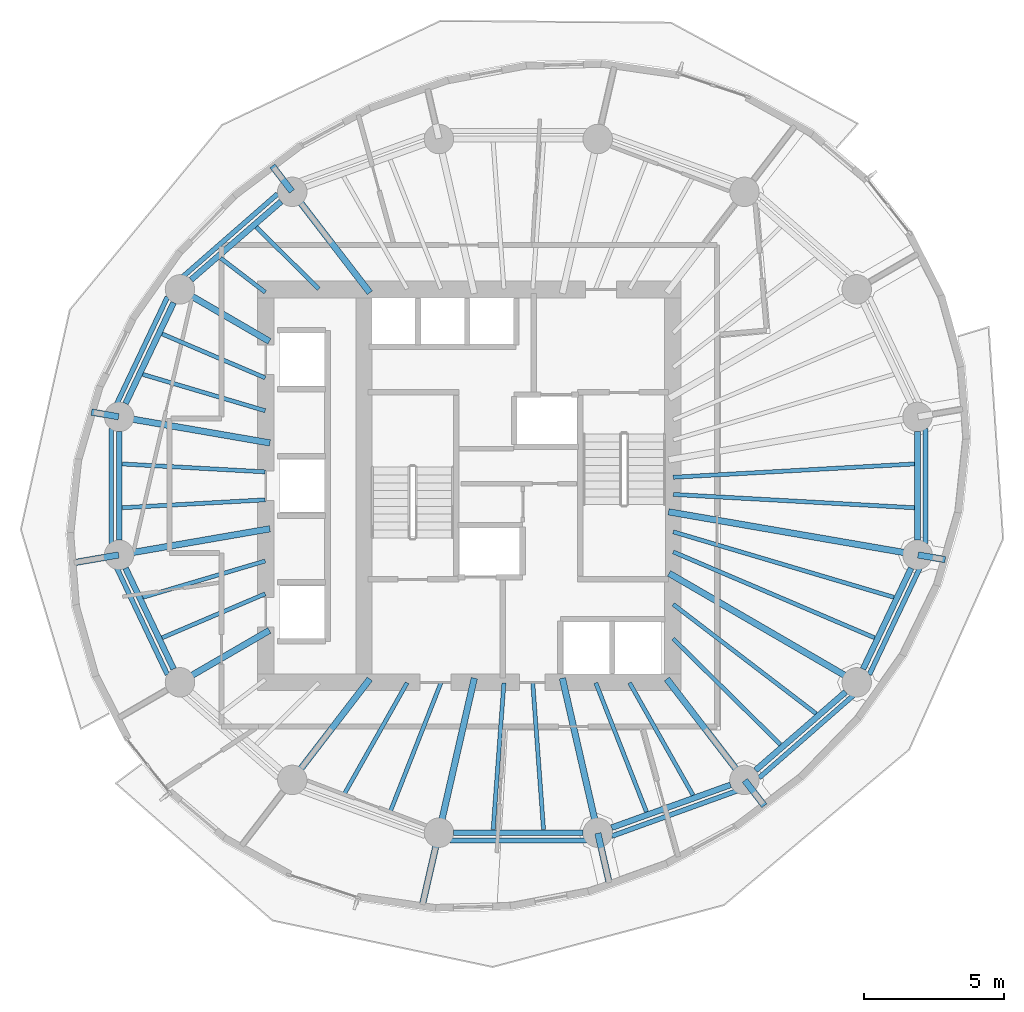
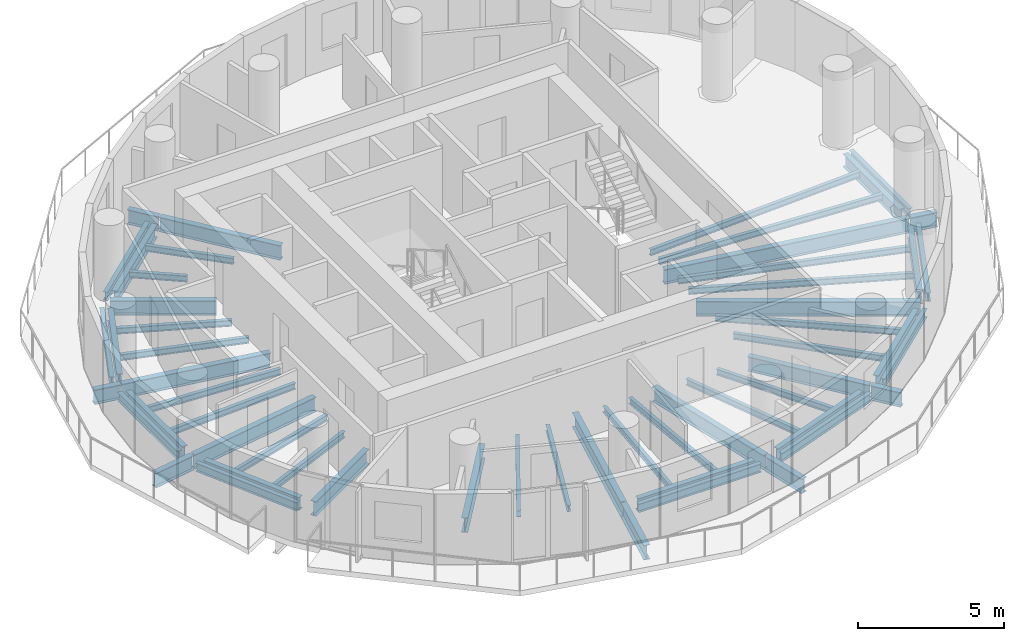
# One storey, part 2 of 12: 56 beams.
"""IFC4 building model written with IfcOpenShell, lengths in metres."""

import ifcopenshell
import ifcopenshell.guid

model = None  # the IFC model being written
_history = None  # IfcOwnerHistory: only IFC2X3 demands one
_inside = {}  # id of a spatial element -> (the spatial element, [elements in it])
_under = {}  # id of a project, library or spatial element -> (it, [spatial elements below it])
_declared = {}  # id of a project -> (the project, [libraries it declares])
_typed = {}  # id of a type object -> (the type object, [elements of that type])
_made_of = {}  # id of a material, layer set ... -> (it, [elements and type objects made of it])


def new_model(schema):
    """Start an empty IFC model of exactly this schema.

    Asked for "IFC4X3", IfcOpenShell would pick the latest addendum, in which some entities
    have other attributes; the version numbers below select the first issue.
    IFC2X3 requires an IfcOwnerHistory on every rooted entity: one is made here for all.
    """
    global model, _history
    if schema == "IFC4X3":
        model = ifcopenshell.file(schema_version=(4, 3, 0, 0))
    else:
        model = ifcopenshell.file(schema=schema)
    _inside.clear()
    _under.clear()
    _declared.clear()
    _typed.clear()
    _made_of.clear()
    _history = None
    if model.schema == "IFC2X3":
        org = make("IfcOrganization", Name="unknown")
        user = make(
            "IfcPersonAndOrganization",
            ThePerson=make("IfcPerson", FamilyName="unknown"),
            TheOrganization=org,
        )
        app = make(
            "IfcApplication",
            ApplicationDeveloper=org,
            Version="unknown",
            ApplicationFullName="unknown",
            ApplicationIdentifier="unknown",
        )
        _history = make(
            "IfcOwnerHistory",
            OwningUser=user,
            OwningApplication=app,
            ChangeAction="ADDED",
            CreationDate=0,
        )
    return model


def make(cls, **values):
    """One entity of the class cls with the attributes given. An attribute that is None is left unset."""
    return model.create_entity(
        cls, **{name: value for name, value in values.items() if value is not None}
    )


def rooted(cls, **values):
    """An entity with a GlobalId (a new one), such as an element, a storey or a relation."""
    return make(cls, GlobalId=ifcopenshell.guid.new(), OwnerHistory=_history, **values)


def si_unit(unit_type, name, prefix=None):
    """IfcSIUnit, for example si_unit("LENGTHUNIT", "METRE", prefix="MILLI")."""
    return make("IfcSIUnit", UnitType=unit_type, Prefix=prefix, Name=name)


def assignment(units):
    """IfcUnitAssignment: the units of a project."""
    return None if units is None else make("IfcUnitAssignment", Units=units)


def point(xyz):
    """IfcCartesianPoint."""
    return None if xyz is None else make("IfcCartesianPoint", Coordinates=xyz)


def direction(xyz):
    """IfcDirection."""
    return None if xyz is None else make("IfcDirection", DirectionRatios=xyz)


def frame(location, z_axis=None, x_axis=None):
    """IfcAxis2Placement3D, a coordinate frame: its origin and axes. An axis left out is left unset."""
    return make(
        "IfcAxis2Placement3D",
        Location=point(location),
        Axis=direction(z_axis),
        RefDirection=direction(x_axis),
    )


def frame_2d(location, x_axis=None):
    """IfcAxis2Placement2D, a coordinate frame in the plane: its origin and x axis."""
    return make(
        "IfcAxis2Placement2D", Location=point(location), RefDirection=direction(x_axis)
    )


def origin():
    """The frame at (0, 0, 0) with its axes left unset."""
    return frame((0.0, 0.0, 0.0))


def origin_2d():
    """The frame at (0, 0) in the plane with its x axis left unset."""
    return frame_2d((0.0, 0.0))


def place(relative_to, where):
    """IfcLocalPlacement: puts the frame where relative to a parent placement (None: the world)."""
    return make(
        "IfcLocalPlacement", PlacementRelTo=relative_to, RelativePlacement=where
    )


def context(
    kind, dimensions, precision=None, world=None, true_north=None, identifier=None
):
    """IfcGeometricRepresentationContext, for example the 3D "Model" context."""
    return make(
        "IfcGeometricRepresentationContext",
        ContextIdentifier=identifier,
        ContextType=kind,
        CoordinateSpaceDimension=dimensions,
        Precision=precision,
        WorldCoordinateSystem=world,
        TrueNorth=true_north,
    )


def subcontext(parent, identifier, kind, view, scale=None):
    """IfcGeometricRepresentationSubContext, for example "Body" below "Model"."""
    return make(
        "IfcGeometricRepresentationSubContext",
        ContextIdentifier=identifier,
        ContextType=kind,
        ParentContext=parent,
        TargetScale=scale,
        TargetView=view,
    )


def project(units=None, contexts=None):
    """IfcProject with its units and contexts."""
    return rooted(
        "IfcProject",
        Name="project",
        RepresentationContexts=contexts,
        UnitsInContext=assignment(units),
    )


def spatial(cls, under=None, at=None, **own):
    """A site, building, storey or space (cls), placed at a placement, below another one or the project."""
    s = rooted(cls, ObjectPlacement=at, **own)
    if under is not None:
        _under.setdefault(under.id(), (under, []))[1].append(s)
    return s


def profile(cls, at=None, kind="AREA", **sizes):
    """A parametric profile (cls). Its sizes go by their IFC names, for example OverallWidth=200.0."""
    return make(cls, ProfileType=kind, Position=at, **sizes)


def i_section(**sizes):
    """IfcIShapeProfileDef."""
    return profile("IfcIShapeProfileDef", **sizes)


def extrude(swept, where, along, depth):
    """IfcExtrudedAreaSolid: the profile swept, set in the frame where, extruded along a direction by depth."""
    return make(
        "IfcExtrudedAreaSolid",
        SweptArea=swept,
        Position=where,
        ExtrudedDirection=direction(along),
        Depth=depth,
    )


def shape(context_of_items, identifier, shape_type, items):
    """IfcShapeRepresentation: the items that make up one representation, for example the "Body"."""
    return make(
        "IfcShapeRepresentation",
        ContextOfItems=context_of_items,
        RepresentationIdentifier=identifier,
        RepresentationType=shape_type,
        Items=items,
    )


def material(Name=None, Category=None):
    """IfcMaterial."""
    return make("IfcMaterial", Name=Name, Category=Category)


def material_profile(
    of_material, cross_section, Name=None, Category=None, Priority=None
):
    """IfcMaterialProfile: a cross section and its material."""
    return make(
        "IfcMaterialProfile",
        Name=Name,
        Material=of_material,
        Profile=cross_section,
        Priority=Priority,
        Category=Category,
    )


def profile_set(profiles, Name=None, composite=None):
    """IfcMaterialProfileSet."""
    return make(
        "IfcMaterialProfileSet",
        Name=Name,
        MaterialProfiles=profiles,
        CompositeProfile=composite,
    )


def made_of(thing, what):
    """Note that an element or type object is made of a material, layer set ...; save() writes the relation."""
    if what is not None:
        _made_of.setdefault(what.id(), (what, []))[1].append(thing)
    return thing


def type_object(cls, material=None, **own):
    """A type object (cls), such as IfcWallType, which elements share."""
    return made_of(rooted(cls, **own), material)


def element(
    cls,
    number,
    at=None,
    inside=None,
    cuts=None,
    type_object=None,
    material=None,
    context=None,
    identifier="Body",
    shape_type=None,
    held_by="IfcProductDefinitionShape",
    body=None,
    shapes=None,
    **own,
):
    """One element of the class cls, such as IfcWall. Its Tag is "e" and its number.

    at: its placement. inside: the storey or other place that contains it. cuts: it is an
    opening in that element (IfcRelVoidsElement). A single representation is given by context,
    identifier, shape_type and body (its items); several are given by shapes. held_by: the class
    of the entity that holds the representations. save() writes the other relations.
    """
    e = rooted(cls, Tag="e%d" % number, ObjectPlacement=at, **own)
    if body is not None:
        shapes = [shape(context, identifier, shape_type, body)]
    if shapes is not None:
        e.Representation = make(held_by, Representations=shapes)
    if inside is not None:
        _inside.setdefault(inside.id(), (inside, []))[1].append(e)
    if cuts is not None:
        rooted(
            "IfcRelVoidsElement", RelatingBuildingElement=cuts, RelatedOpeningElement=e
        )
    if type_object is not None:
        _typed.setdefault(type_object.id(), (type_object, []))[1].append(e)
    return made_of(e, material)


def aggregate(whole, parts):
    """IfcRelAggregates: a whole, such as a stair, and the parts it consists of."""
    return rooted("IfcRelAggregates", RelatingObject=whole, RelatedObjects=parts)


def save(model, path):
    """Write the relations noted so far, then the file.

    IfcRelAggregates (storeys below a building ...), IfcRelContainedInSpatialStructure (elements
    in a storey), IfcRelDefinesByType, IfcRelAssociatesMaterial and IfcRelDeclares: one each for
    every whole, place, type object, material and project.
    """
    for whole, parts in _under.values():
        aggregate(whole, parts)
    for where, things in _inside.values():
        rooted(
            "IfcRelContainedInSpatialStructure",
            RelatedElements=things,
            RelatingStructure=where,
        )
    for kind, things in _typed.values():
        rooted("IfcRelDefinesByType", RelatedObjects=things, RelatingType=kind)
    for what, things in _made_of.values():
        rooted("IfcRelAssociatesMaterial", RelatedObjects=things, RelatingMaterial=what)
    for by, libraries in _declared.values():
        rooted("IfcRelDeclares", RelatingContext=by, RelatedDefinitions=libraries)
    model.write(path)


model = new_model("IFC4")

# Units and contexts
model_context = context("Model", 3, precision=1e-05, world=origin(), true_north=direction((0.0, 1.0)))
body_context = subcontext(model_context, "Body", "Model", "MODEL_VIEW")
ifc_project = project(units=[si_unit("LENGTHUNIT", "METRE"), si_unit("AREAUNIT", "SQUARE_METRE"), si_unit("VOLUMEUNIT", "CUBIC_METRE"), si_unit("PLANEANGLEUNIT", "RADIAN"), si_unit("MASSUNIT", "GRAM", prefix="KILO")], contexts=[model_context])

# Site, building, storey
site_placement = place(None, origin())
site = spatial("IfcSite", under=ifc_project, at=site_placement, CompositionType="ELEMENT")
building_placement = place(site_placement, origin())
building = spatial("IfcBuilding", under=site, at=building_placement, Name="Veldorim Arch Residences", CompositionType="ELEMENT")
storey_placement = place(building_placement, frame((0.0, 0.0, 136.159912109375)))
storey = spatial("IfcBuildingStorey", under=building, at=storey_placement, Name="L40", CompositionType="ELEMENT", Elevation=136.159912109375)

# Beams
ifc_material_1 = material(Name="Steel S355", Category="steel")
ifc_material_profile_1 = material_profile(ifc_material_1, i_section(OverallWidth=0.2099609375, OverallDepth=0.53662109375, WebThickness=0.0107421875, FlangeThickness=0.017333984375, at=origin_2d()), Name="UB533x210x101")
ifc_profile_set_1 = profile_set([ifc_material_profile_1], Name="Steel S355")
beam_type_1 = type_object("IfcBeamType", Name="Structural Steel Beam UB533x210x101", PredefinedType="BEAM", material=ifc_profile_set_1)
beam_1_placement = place(storey_placement, frame((23.5478515625, 34.132080078125, -0.50830078125), z_axis=(-0.754810789581, -0.655942582802, 0.0), x_axis=(0.655942582802, -0.754810789581, 0.0)))
element("IfcBeam", 1, at=beam_1_placement, inside=storey, type_object=beam_type_1, Name="L40 perimeter ring tie beam 06", PredefinedType="BEAM", context=body_context, shape_type="SweptSolid", body=[
    extrude(i_section(OverallWidth=0.2099609375, OverallDepth=0.53662109375, WebThickness=0.0107421875, FlangeThickness=0.017333984375, at=origin_2d()), origin(), (0.0, 0.0, 1.0), 4.249755859375),
])
beam_2_placement = place(storey_placement, frame((19.7177734375, 30.5263671875, -0.50830078125), z_axis=(-0.43028577851, -0.902692721147, 0.0), x_axis=(0.902692721147, -0.43028577851, 0.0)))
element("IfcBeam", 2, at=beam_2_placement, inside=storey, type_object=beam_type_1, Name="L40 perimeter ring tie beam 07", PredefinedType="BEAM", context=body_context, shape_type="SweptSolid", body=[
    extrude(i_section(OverallWidth=0.2099609375, OverallDepth=0.53662109375, WebThickness=0.0107421875, FlangeThickness=0.017333984375, at=origin_2d()), origin(), (0.0, 0.0, 1.0), 3.98193359375),
])
beam_3_placement = place(storey_placement, frame((17.778564453125, 25.93310546875, -0.50830078125), z_axis=(0.0, -1.0, 0.0), x_axis=(1.0, 0.0, 0.0)))
element("IfcBeam", 3, at=beam_3_placement, inside=storey, type_object=beam_type_1, Name="L40 perimeter ring tie beam 08", PredefinedType="BEAM", context=body_context, shape_type="SweptSolid", body=[
    extrude(i_section(OverallWidth=0.2099609375, OverallDepth=0.53662109375, WebThickness=0.0107421875, FlangeThickness=0.017333984375, at=origin_2d()), origin(), (0.0, 0.0, 1.0), 3.8662109375),
])
beam_4_placement = place(storey_placement, frame((18.00439453125, 21.068115234375, -0.50830078125), z_axis=(0.43028577851, -0.902692721147, 0.0), x_axis=(0.902692721147, 0.43028577851, 0.0)))
element("IfcBeam", 4, at=beam_4_placement, inside=storey, type_object=beam_type_1, Name="L40 perimeter ring tie beam 09", PredefinedType="BEAM", context=body_context, shape_type="SweptSolid", body=[
    extrude(i_section(OverallWidth=0.2099609375, OverallDepth=0.53662109375, WebThickness=0.0107421875, FlangeThickness=0.017333984375, at=origin_2d()), origin(), (0.0, 0.0, 1.0), 3.98193359375),
])
beam_5_placement = place(storey_placement, frame((29.6962890625, 11.64208984375, -0.50830078125), z_axis=(1.0, 0.0, 0.0), x_axis=(0.0, 1.0, 0.0)))
element("IfcBeam", 5, at=beam_5_placement, inside=storey, type_object=beam_type_1, Name="L40 perimeter ring tie beam 12", PredefinedType="BEAM", context=body_context, shape_type="SweptSolid", body=[
    extrude(i_section(OverallWidth=0.2099609375, OverallDepth=0.53662109375, WebThickness=0.0107421875, FlangeThickness=0.017333984375, at=origin_2d()), origin(), (0.0, 0.0, 1.0), 4.607421875),
])
beam_6_placement = place(storey_placement, frame((35.32275390625, 11.81982421875, -0.50830078125), z_axis=(0.940899155006, 0.338686846673, 0.0), x_axis=(-0.338686846673, 0.940899155006, 0.0)))
element("IfcBeam", 6, at=beam_6_placement, inside=storey, type_object=beam_type_1, Name="L40 perimeter ring tie beam 13", PredefinedType="BEAM", context=body_context, shape_type="SweptSolid", body=[
    extrude(i_section(OverallWidth=0.2099609375, OverallDepth=0.53662109375, WebThickness=0.0107421875, FlangeThickness=0.017333984375, at=origin_2d()), origin(), (0.0, 0.0, 1.0), 4.50537109375),
])
beam_7_placement = place(storey_placement, frame((40.4521484375, 13.867919921875, -0.50830078125), z_axis=(0.754810789581, 0.655942582802, 0.0), x_axis=(-0.655942582802, 0.754810789581, 0.0)))
element("IfcBeam", 7, at=beam_7_placement, inside=storey, type_object=beam_type_1, Name="L40 perimeter ring tie beam 14", PredefinedType="BEAM", context=body_context, shape_type="SweptSolid", body=[
    extrude(i_section(OverallWidth=0.2099609375, OverallDepth=0.53662109375, WebThickness=0.0107421875, FlangeThickness=0.017333984375, at=origin_2d()), origin(), (0.0, 0.0, 1.0), 4.249755859375),
])
beam_8_placement = place(storey_placement, frame((44.2822265625, 17.4736328125, -0.50830078125), z_axis=(0.43028577851, 0.902692721147, 0.0), x_axis=(-0.902692721147, 0.43028577851, 0.0)))
element("IfcBeam", 8, at=beam_8_placement, inside=storey, type_object=beam_type_1, Name="L40 perimeter ring tie beam 15", PredefinedType="BEAM", context=body_context, shape_type="SweptSolid", body=[
    extrude(i_section(OverallWidth=0.2099609375, OverallDepth=0.53662109375, WebThickness=0.0107421875, FlangeThickness=0.017333984375, at=origin_2d()), origin(), (0.0, 0.0, 1.0), 3.98193359375),
])
beam_9_placement = place(storey_placement, frame((46.221435546875, 22.06689453125, -0.50830078125), z_axis=(0.0, 1.0, 0.0), x_axis=(-1.0, 0.0, 0.0)))
element("IfcBeam", 9, at=beam_9_placement, inside=storey, type_object=beam_type_1, Name="L40 perimeter ring tie beam 16", PredefinedType="BEAM", context=body_context, shape_type="SweptSolid", body=[
    extrude(i_section(OverallWidth=0.2099609375, OverallDepth=0.53662109375, WebThickness=0.0107421875, FlangeThickness=0.017333984375, at=origin_2d()), origin(), (0.0, 0.0, 1.0), 3.8662109375),
])
ifc_material_2 = material(Name="Steel S355", Category="steel")
ifc_material_profile_2 = material_profile(ifc_material_2, i_section(OverallWidth=0.22900390625, OverallDepth=0.6123046875, WebThickness=0.011962890625, FlangeThickness=0.01953125, at=origin_2d()), Name="UB610x229x125")
ifc_profile_set_2 = profile_set([ifc_material_profile_2], Name="Steel S355")
beam_type_2 = type_object("IfcBeamType", Name="Structural Steel Beam UB610x229x125", PredefinedType="BEAM", material=ifc_profile_set_2)
beam_10_placement = place(storey_placement, frame((26.708740234375, 30.881103515625, -0.5458984375), z_axis=(-0.609559199361, 0.792740551804, 0.0), x_axis=(-0.792740551804, -0.609559199361, 0.0)))
element("IfcBeam", 10, at=beam_10_placement, inside=storey, type_object=beam_type_2, Name="L40 radial floor girder 06", PredefinedType="BEAM", context=body_context, shape_type="SweptSolid", body=[
    extrude(i_section(OverallWidth=0.22900390625, OverallDepth=0.6123046875, WebThickness=0.011962890625, FlangeThickness=0.01953125, at=origin_2d()), origin(), (0.0, 0.0, 1.0), 4.515380859375),
])
beam_11_placement = place(storey_placement, frame((23.931884765625, 34.492431640625, -0.5458984375), z_axis=(-0.609493928704, 0.792790735865, 0.0), x_axis=(-0.792790735865, -0.609493928704, 0.0)))
element("IfcBeam", 11, at=beam_11_placement, inside=storey, type_object=beam_type_2, Name="L40 radial edge cantilever girder 06", PredefinedType="BEAM", context=body_context, shape_type="SweptSolid", body=[
    extrude(i_section(OverallWidth=0.22900390625, OverallDepth=0.6123046875, WebThickness=0.011962890625, FlangeThickness=0.01953125, at=origin_2d()), origin(), (0.0, 0.0, 1.0), 1.142822265625),
])
beam_12_placement = place(storey_placement, frame((23.129638671875, 29.150390625, -0.5458984375), z_axis=(-0.864794546612, 0.502125872815, 0.0), x_axis=(-0.502125872815, -0.864794546612, 0.0)))
element("IfcBeam", 12, at=beam_12_placement, inside=storey, type_object=beam_type_2, Name="L40 radial floor girder 07", PredefinedType="BEAM", context=body_context, shape_type="SweptSolid", body=[
    extrude(i_section(OverallWidth=0.22900390625, OverallDepth=0.6123046875, WebThickness=0.011962890625, FlangeThickness=0.01953125, at=origin_2d()), origin(), (0.0, 0.0, 1.0), 3.6640625),
])
beam_13_placement = place(storey_placement, frame((23.147705078125, 25.530029296875, -0.5458984375), z_axis=(-0.985390445301, 0.170310511449, 0.0), x_axis=(-0.170310511449, -0.985390445301, 0.0)))
element("IfcBeam", 13, at=beam_13_placement, inside=storey, type_object=beam_type_2, Name="L40 radial floor girder 08", PredefinedType="BEAM", context=body_context, shape_type="SweptSolid", body=[
    extrude(i_section(OverallWidth=0.22900390625, OverallDepth=0.6123046875, WebThickness=0.011962890625, FlangeThickness=0.01953125, at=origin_2d()), origin(), (0.0, 0.0, 1.0), 5.4287109375),
])
beam_14_placement = place(storey_placement, frame((17.7587890625, 26.46142578125, -0.5458984375), z_axis=(-0.985360944305, 0.170481111675, 0.0), x_axis=(-0.170481111675, -0.985360944305, 0.0)))
element("IfcBeam", 14, at=beam_14_placement, inside=storey, type_object=beam_type_2, Name="L40 radial edge cantilever girder 08", PredefinedType="BEAM", context=body_context, shape_type="SweptSolid", body=[
    extrude(i_section(OverallWidth=0.22900390625, OverallDepth=0.6123046875, WebThickness=0.011962890625, FlangeThickness=0.01953125, at=origin_2d()), origin(), (0.0, 0.0, 1.0), 0.982421875),
])
beam_15_placement = place(storey_placement, frame((23.147705078125, 22.469970703125, -0.5458984375), z_axis=(-0.985390445301, -0.170310511449, 0.0), x_axis=(0.170310511449, -0.985390445301, 0.0)))
element("IfcBeam", 15, at=beam_15_placement, inside=storey, type_object=beam_type_2, Name="L40 radial floor girder 09", PredefinedType="BEAM", context=body_context, shape_type="SweptSolid", body=[
    extrude(i_section(OverallWidth=0.22900390625, OverallDepth=0.6123046875, WebThickness=0.011962890625, FlangeThickness=0.01953125, at=origin_2d()), origin(), (0.0, 0.0, 1.0), 5.4287109375),
])
beam_16_placement = place(storey_placement, frame((17.7587890625, 21.53857421875, -0.5458984375), z_axis=(-0.985381722232, -0.170360974082, 0.0), x_axis=(0.170360974082, -0.985381722232, 0.0)))
element("IfcBeam", 16, at=beam_16_placement, inside=storey, type_object=beam_type_2, Name="L40 radial edge cantilever girder 09", PredefinedType="BEAM", context=body_context, shape_type="SweptSolid", body=[
    extrude(i_section(OverallWidth=0.22900390625, OverallDepth=0.6123046875, WebThickness=0.011962890625, FlangeThickness=0.01953125, at=origin_2d()), origin(), (0.0, 0.0, 1.0), 1.6923828125),
])
beam_17_placement = place(storey_placement, frame((23.129638671875, 18.849609375, -0.5458984375), z_axis=(-0.864794546612, -0.502125872815, 0.0), x_axis=(0.502125872815, -0.864794546612, 0.0)))
element("IfcBeam", 17, at=beam_17_placement, inside=storey, type_object=beam_type_2, Name="L40 radial floor girder 10", PredefinedType="BEAM", context=body_context, shape_type="SweptSolid", body=[
    extrude(i_section(OverallWidth=0.22900390625, OverallDepth=0.6123046875, WebThickness=0.011962890625, FlangeThickness=0.01953125, at=origin_2d()), origin(), (0.0, 0.0, 1.0), 3.6640625),
])
beam_18_placement = place(storey_placement, frame((26.708740234375, 17.118896484375, -0.5458984375), z_axis=(-0.609559199361, -0.792740551804, 0.0), x_axis=(0.792740551804, -0.609559199361, 0.0)))
element("IfcBeam", 18, at=beam_18_placement, inside=storey, type_object=beam_type_2, Name="L40 radial floor girder 11", PredefinedType="BEAM", context=body_context, shape_type="SweptSolid", body=[
    extrude(i_section(OverallWidth=0.22900390625, OverallDepth=0.6123046875, WebThickness=0.011962890625, FlangeThickness=0.01953125, at=origin_2d()), origin(), (0.0, 0.0, 1.0), 4.515380859375),
])
beam_19_placement = place(storey_placement, frame((30.43115234375, 17.146240234375, -0.5458984375), z_axis=(-0.223119342184, -0.974791136164, 0.0), x_axis=(0.974791136164, -0.223119342184, 0.0)))
element("IfcBeam", 19, at=beam_19_placement, inside=storey, type_object=beam_type_2, Name="L40 radial floor girder 12", PredefinedType="BEAM", context=body_context, shape_type="SweptSolid", body=[
    extrude(i_section(OverallWidth=0.22900390625, OverallDepth=0.6123046875, WebThickness=0.011962890625, FlangeThickness=0.01953125, at=origin_2d()), origin(), (0.0, 0.0, 1.0), 5.62646484375),
])
beam_20_placement = place(storey_placement, frame((29.166748046875, 11.62255859375, -0.5458984375), z_axis=(-0.223142644538, -0.974785802209, 0.0), x_axis=(0.974785802209, -0.223142644538, 0.0)))
element("IfcBeam", 20, at=beam_20_placement, inside=storey, type_object=beam_type_2, Name="L40 radial edge cantilever girder 12", PredefinedType="BEAM", context=body_context, shape_type="SweptSolid", body=[
    extrude(i_section(OverallWidth=0.22900390625, OverallDepth=0.6123046875, WebThickness=0.011962890625, FlangeThickness=0.01953125, at=origin_2d()), origin(), (0.0, 0.0, 1.0), 2.6904296875),
])
beam_21_placement = place(storey_placement, frame((33.56884765625, 17.146240234375, -0.5458984375), z_axis=(0.223119342184, -0.974791136164, 0.0), x_axis=(0.974791136164, 0.223119342184, 0.0)))
element("IfcBeam", 21, at=beam_21_placement, inside=storey, type_object=beam_type_2, Name="L40 radial floor girder 13", PredefinedType="BEAM", context=body_context, shape_type="SweptSolid", body=[
    extrude(i_section(OverallWidth=0.22900390625, OverallDepth=0.6123046875, WebThickness=0.011962890625, FlangeThickness=0.01953125, at=origin_2d()), origin(), (0.0, 0.0, 1.0), 5.62646484375),
])
beam_22_placement = place(storey_placement, frame((34.833251953125, 11.62255859375, -0.5458984375), z_axis=(0.223112606044, -0.97479267797, 0.0), x_axis=(0.97479267797, 0.223112606044, 0.0)))
element("IfcBeam", 22, at=beam_22_placement, inside=storey, type_object=beam_type_2, Name="L40 radial edge cantilever girder 13", PredefinedType="BEAM", context=body_context, shape_type="SweptSolid", body=[
    extrude(i_section(OverallWidth=0.22900390625, OverallDepth=0.6123046875, WebThickness=0.011962890625, FlangeThickness=0.01953125, at=origin_2d()), origin(), (0.0, 0.0, 1.0), 1.888671875),
])
beam_23_placement = place(storey_placement, frame((37.291259765625, 17.118896484375, -0.5458984375), z_axis=(0.609559199361, -0.792740551804, 0.0), x_axis=(0.792740551804, 0.609559199361, 0.0)))
element("IfcBeam", 23, at=beam_23_placement, inside=storey, type_object=beam_type_2, Name="L40 radial floor girder 14", PredefinedType="BEAM", context=body_context, shape_type="SweptSolid", body=[
    extrude(i_section(OverallWidth=0.22900390625, OverallDepth=0.6123046875, WebThickness=0.011962890625, FlangeThickness=0.01953125, at=origin_2d()), origin(), (0.0, 0.0, 1.0), 4.515380859375),
])
beam_24_placement = place(storey_placement, frame((40.068115234375, 13.507568359375, -0.5458984375), z_axis=(0.609493928704, -0.792790735865, 0.0), x_axis=(0.792790735865, 0.609493928704, 0.0)))
element("IfcBeam", 24, at=beam_24_placement, inside=storey, type_object=beam_type_2, Name="L40 radial edge cantilever girder 14", PredefinedType="BEAM", context=body_context, shape_type="SweptSolid", body=[
    extrude(i_section(OverallWidth=0.22900390625, OverallDepth=0.6123046875, WebThickness=0.011962890625, FlangeThickness=0.01953125, at=origin_2d()), origin(), (0.0, 0.0, 1.0), 1.142822265625),
])
beam_25_placement = place(storey_placement, frame((37.370361328125, 20.8818359375, -0.5458984375), z_axis=(0.864793381443, -0.502127879542, 0.0), x_axis=(0.502127879542, 0.864793381443, 0.0)))
element("IfcBeam", 25, at=beam_25_placement, inside=storey, type_object=beam_type_2, Name="L40 radial floor girder 15", PredefinedType="BEAM", context=body_context, shape_type="SweptSolid", body=[
    extrude(i_section(OverallWidth=0.22900390625, OverallDepth=0.6123046875, WebThickness=0.011962890625, FlangeThickness=0.01953125, at=origin_2d()), origin(), (0.0, 0.0, 1.0), 7.71142578125),
])
beam_26_placement = place(storey_placement, frame((37.352294921875, 23.074951171875, -0.5458984375), z_axis=(0.985389398766, -0.170316566427, 0.0), x_axis=(0.170316566427, 0.985389398766, 0.0)))
element("IfcBeam", 26, at=beam_26_placement, inside=storey, type_object=beam_type_2, Name="L40 radial floor girder 16", PredefinedType="BEAM", context=body_context, shape_type="SweptSolid", body=[
    extrude(i_section(OverallWidth=0.22900390625, OverallDepth=0.6123046875, WebThickness=0.011962890625, FlangeThickness=0.01953125, at=origin_2d()), origin(), (0.0, 0.0, 1.0), 8.98046875),
])
beam_27_placement = place(storey_placement, frame((46.2412109375, 21.53857421875, -0.5458984375), z_axis=(0.985360944305, -0.170481111675, 0.0), x_axis=(0.170481111675, 0.985360944305, 0.0)))
element("IfcBeam", 27, at=beam_27_placement, inside=storey, type_object=beam_type_2, Name="L40 radial edge cantilever girder 16", PredefinedType="BEAM", context=body_context, shape_type="SweptSolid", body=[
    extrude(i_section(OverallWidth=0.22900390625, OverallDepth=0.6123046875, WebThickness=0.011962890625, FlangeThickness=0.01953125, at=origin_2d()), origin(), (0.0, 0.0, 1.0), 0.982421875),
])
ifc_material_3 = material(Name="Steel S355", Category="steel")
ifc_material_profile_3 = material_profile(ifc_material_3, i_section(OverallWidth=0.146484375, OverallDepth=0.256103515625, WebThickness=0.00634765625, FlangeThickness=0.010986328125, at=origin_2d()), Name="UB254x146x37")
ifc_profile_set_3 = profile_set([ifc_material_profile_3], Name="Steel S355")
beam_type_3 = type_object("IfcBeamType", Name="Structural Steel Joist UB254x146x37", PredefinedType="JOIST", material=ifc_profile_set_3)
beam_28_placement = place(storey_placement, frame((24.894287109375, 31.013916015625, -0.367919921875), z_axis=(-0.711683379532, 0.702500368183, 0.0), x_axis=(-0.702500368183, -0.711683379532, 0.0)))
element("IfcBeam", 28, at=beam_28_placement, inside=storey, type_object=beam_type_3, Name="L40 secondary radial floor joist 06-1", PredefinedType="JOIST", context=body_context, shape_type="SweptSolid", body=[
    extrude(i_section(OverallWidth=0.146484375, OverallDepth=0.256103515625, WebThickness=0.00634765625, FlangeThickness=0.010986328125, at=origin_2d()), origin(), (0.0, 0.0, 1.0), 3.13720703125),
])
beam_29_placement = place(storey_placement, frame((22.984130859375, 30.89697265625, -0.367919921875), z_axis=(-0.794312925337, 0.607508828448, 0.0), x_axis=(-0.607508828448, -0.794312925337, 0.0)))
element("IfcBeam", 29, at=beam_29_placement, inside=storey, type_object=beam_type_3, Name="L40 secondary radial floor joist 06-2", PredefinedType="JOIST", context=body_context, shape_type="SweptSolid", body=[
    extrude(i_section(OverallWidth=0.146484375, OverallDepth=0.256103515625, WebThickness=0.00634765625, FlangeThickness=0.010986328125, at=origin_2d()), origin(), (0.0, 0.0, 1.0), 2.006103515625),
])
beam_30_placement = place(storey_placement, frame((22.981689453125, 27.84619140625, -0.367919921875), z_axis=(-0.919823469329, 0.392332493265, 0.0), x_axis=(-0.392332493265, -0.919823469329, 0.0)))
element("IfcBeam", 30, at=beam_30_placement, inside=storey, type_object=beam_type_3, Name="L40 secondary radial floor joist 07-1", PredefinedType="JOIST", context=body_context, shape_type="SweptSolid", body=[
    extrude(i_section(OverallWidth=0.146484375, OverallDepth=0.256103515625, WebThickness=0.00634765625, FlangeThickness=0.010986328125, at=origin_2d()), origin(), (0.0, 0.0, 1.0), 3.993896484375),
])
beam_31_placement = place(storey_placement, frame((22.980712890625, 26.677001953125, -0.367919921875), z_axis=(-0.95868163277, 0.284481154014, 0.0), x_axis=(-0.284481154014, -0.95868163277, 0.0)))
element("IfcBeam", 31, at=beam_31_placement, inside=storey, type_object=beam_type_3, Name="L40 secondary radial floor joist 07-2", PredefinedType="JOIST", context=body_context, shape_type="SweptSolid", body=[
    extrude(i_section(OverallWidth=0.146484375, OverallDepth=0.256103515625, WebThickness=0.00634765625, FlangeThickness=0.010986328125, at=origin_2d()), origin(), (0.0, 0.0, 1.0), 4.54931640625),
])
for number, where, z_axis, x_axis, name in (
    (32, (22.97998046875, 24.498779296875, -0.367919921875), (-0.998472994317, 0.055242009562, 0.0), (-0.055242009562, -0.998472994317, 0.0), "L40 secondary radial floor joist 08-1"),
    (33, (22.97998046875, 23.501220703125, -0.367919921875), (-0.998472994317, -0.055242009562, 0.0), (0.055242009562, -0.998472994317, 0.0), "L40 secondary radial floor joist 08-2"),
):
    element("IfcBeam", number, at=place(storey_placement, frame(where, z_axis=z_axis, x_axis=x_axis)), inside=storey, type_object=beam_type_3, Name=name, PredefinedType="JOIST", context=body_context, shape_type="SweptSolid", body=[
        extrude(i_section(OverallWidth=0.146484375, OverallDepth=0.256103515625, WebThickness=0.00634765625, FlangeThickness=0.010986328125, at=origin_2d()), origin(), (0.0, 0.0, 1.0), 5.10009765625),
    ])
beam_32_placement = place(storey_placement, frame((22.980712890625, 21.322998046875, -0.367919921875), z_axis=(-0.95868163277, -0.284481154014, 0.0), x_axis=(0.284481154014, -0.95868163277, 0.0)))
element("IfcBeam", 34, at=beam_32_placement, inside=storey, type_object=beam_type_3, Name="L40 secondary radial floor joist 09-1", PredefinedType="JOIST", context=body_context, shape_type="SweptSolid", body=[
    extrude(i_section(OverallWidth=0.146484375, OverallDepth=0.256103515625, WebThickness=0.00634765625, FlangeThickness=0.010986328125, at=origin_2d()), origin(), (0.0, 0.0, 1.0), 4.54931640625),
])
beam_33_placement = place(storey_placement, frame((22.981689453125, 20.15380859375, -0.367919921875), z_axis=(-0.919823469329, -0.392332493265, 0.0), x_axis=(0.392332493265, -0.919823469329, 0.0)))
element("IfcBeam", 35, at=beam_33_placement, inside=storey, type_object=beam_type_3, Name="L40 secondary radial floor joist 09-2", PredefinedType="JOIST", context=body_context, shape_type="SweptSolid", body=[
    extrude(i_section(OverallWidth=0.146484375, OverallDepth=0.256103515625, WebThickness=0.00634765625, FlangeThickness=0.010986328125, at=origin_2d()), origin(), (0.0, 0.0, 1.0), 3.993896484375),
])
beam_34_placement = place(storey_placement, frame((28.03662109375, 16.982666015625, -0.367919921875), z_axis=(-0.491815801586, -0.870699269157, 0.0), x_axis=(0.870699269157, -0.491815801586, 0.0)))
element("IfcBeam", 36, at=beam_34_placement, inside=storey, type_object=beam_type_3, Name="L40 secondary radial floor joist 11-1", PredefinedType="JOIST", context=body_context, shape_type="SweptSolid", body=[
    extrude(i_section(OverallWidth=0.146484375, OverallDepth=0.256103515625, WebThickness=0.00634765625, FlangeThickness=0.010986328125, at=origin_2d()), origin(), (0.0, 0.0, 1.0), 4.59814453125),
])
beam_35_placement = place(storey_placement, frame((29.2412109375, 16.9814453125, -0.367919921875), z_axis=(-0.365777738491, -0.930702232739, 0.0), x_axis=(0.930702232739, -0.365777738491, 0.0)))
element("IfcBeam", 37, at=beam_35_placement, inside=storey, type_object=beam_type_3, Name="L40 secondary radial floor joist 11-2", PredefinedType="JOIST", context=body_context, shape_type="SweptSolid", body=[
    extrude(i_section(OverallWidth=0.146484375, OverallDepth=0.256103515625, WebThickness=0.00634765625, FlangeThickness=0.010986328125, at=origin_2d()), origin(), (0.0, 0.0, 1.0), 4.9404296875),
])
for number, where, z_axis, x_axis, name in (
    (38, (31.48583984375, 16.97998046875, -0.367919921875), (-0.073060364166, -0.997327520521, 0.0), (0.997327520521, -0.073060364166, 0.0), "L40 secondary radial floor joist 12-1"),
    (39, (32.51416015625, 16.97998046875, -0.367919921875), (0.073060364166, -0.997327520521, 0.0), (0.997327520521, 0.073060364166, 0.0), "L40 secondary radial floor joist 12-2"),
):
    element("IfcBeam", number, at=place(storey_placement, frame(where, z_axis=z_axis, x_axis=x_axis)), inside=storey, type_object=beam_type_3, Name=name, PredefinedType="JOIST", context=body_context, shape_type="SweptSolid", body=[
        extrude(i_section(OverallWidth=0.146484375, OverallDepth=0.256103515625, WebThickness=0.00634765625, FlangeThickness=0.010986328125, at=origin_2d()), origin(), (0.0, 0.0, 1.0), 5.242919921875),
    ])
beam_36_placement = place(storey_placement, frame((34.7587890625, 16.9814453125, -0.367919921875), z_axis=(0.365777738491, -0.930702232739, 0.0), x_axis=(0.930702232739, 0.365777738491, 0.0)))
element("IfcBeam", 40, at=beam_36_placement, inside=storey, type_object=beam_type_3, Name="L40 secondary radial floor joist 13-1", PredefinedType="JOIST", context=body_context, shape_type="SweptSolid", body=[
    extrude(i_section(OverallWidth=0.146484375, OverallDepth=0.256103515625, WebThickness=0.00634765625, FlangeThickness=0.010986328125, at=origin_2d()), origin(), (0.0, 0.0, 1.0), 4.9404296875),
])
beam_37_placement = place(storey_placement, frame((35.96337890625, 16.982666015625, -0.367919921875), z_axis=(0.491815801586, -0.870699269157, 0.0), x_axis=(0.870699269157, 0.491815801586, 0.0)))
element("IfcBeam", 41, at=beam_37_placement, inside=storey, type_object=beam_type_3, Name="L40 secondary radial floor joist 13-2", PredefinedType="JOIST", context=body_context, shape_type="SweptSolid", body=[
    extrude(i_section(OverallWidth=0.146484375, OverallDepth=0.256103515625, WebThickness=0.00634765625, FlangeThickness=0.010986328125, at=origin_2d()), origin(), (0.0, 0.0, 1.0), 4.59814453125),
])
beam_38_placement = place(storey_placement, frame((37.51416015625, 18.556884765625, -0.367919921875), z_axis=(0.711703457158, -0.702480027523, 0.0), x_axis=(0.702480027523, 0.711703457158, 0.0)))
element("IfcBeam", 42, at=beam_38_placement, inside=storey, type_object=beam_type_3, Name="L40 secondary radial floor joist 14-1", PredefinedType="JOIST", context=body_context, shape_type="SweptSolid", body=[
    extrude(i_section(OverallWidth=0.146484375, OverallDepth=0.256103515625, WebThickness=0.00634765625, FlangeThickness=0.010986328125, at=origin_2d()), origin(), (0.0, 0.0, 1.0), 5.373291015625),
])
beam_39_placement = place(storey_placement, frame((37.515869140625, 19.780517578125, -0.367919921875), z_axis=(0.794267053144, -0.607568801281, 0.0), x_axis=(0.607568801281, 0.794267053144, 0.0)))
element("IfcBeam", 43, at=beam_39_placement, inside=storey, type_object=beam_type_3, Name="L40 secondary radial floor joist 14-2", PredefinedType="JOIST", context=body_context, shape_type="SweptSolid", body=[
    extrude(i_section(OverallWidth=0.146484375, OverallDepth=0.256103515625, WebThickness=0.00634765625, FlangeThickness=0.010986328125, at=origin_2d()), origin(), (0.0, 0.0, 1.0), 6.412841796875),
])
beam_40_placement = place(storey_placement, frame((37.518310546875, 21.646484375, -0.367919921875), z_axis=(0.919831795434, -0.39231297214, 0.0), x_axis=(0.39231297214, 0.919831795434, 0.0)))
element("IfcBeam", 44, at=beam_40_placement, inside=storey, type_object=beam_type_3, Name="L40 secondary radial floor joist 15-1", PredefinedType="JOIST", context=body_context, shape_type="SweptSolid", body=[
    extrude(i_section(OverallWidth=0.146484375, OverallDepth=0.256103515625, WebThickness=0.00634765625, FlangeThickness=0.010986328125, at=origin_2d()), origin(), (0.0, 0.0, 1.0), 7.798828125),
])
beam_41_placement = place(storey_placement, frame((37.519287109375, 22.36181640625, -0.367919921875), z_axis=(0.958674276305, -0.284505943614, 0.0), x_axis=(0.284505943614, 0.958674276305, 0.0)))
element("IfcBeam", 45, at=beam_41_placement, inside=storey, type_object=beam_type_3, Name="L40 secondary radial floor joist 15-2", PredefinedType="JOIST", context=body_context, shape_type="SweptSolid", body=[
    extrude(i_section(OverallWidth=0.146484375, OverallDepth=0.256103515625, WebThickness=0.00634765625, FlangeThickness=0.010986328125, at=origin_2d()), origin(), (0.0, 0.0, 1.0), 8.2001953125),
])
for number, where, z_axis, x_axis, name in (
    (46, (37.52001953125, 23.694580078125, -0.367919921875), (0.998474809964, -0.055209182821, 0.0), (0.055209182821, 0.998474809964, 0.0), "L40 secondary radial floor joist 16-1"),
    (47, (37.52001953125, 24.305419921875, -0.367919921875), (0.998474809964, 0.055209182821, 0.0), (-0.055209182821, 0.998474809964, 0.0), "L40 secondary radial floor joist 16-2"),
):
    element("IfcBeam", number, at=place(storey_placement, frame(where, z_axis=z_axis, x_axis=x_axis)), inside=storey, type_object=beam_type_3, Name=name, PredefinedType="JOIST", context=body_context, shape_type="SweptSolid", body=[
        extrude(i_section(OverallWidth=0.146484375, OverallDepth=0.256103515625, WebThickness=0.00634765625, FlangeThickness=0.010986328125, at=origin_2d()), origin(), (0.0, 0.0, 1.0), 8.60546875),
    ])
ifc_material_4 = material(Name="Steel S355", Category="steel")
ifc_material_profile_4 = material_profile(ifc_material_4, i_section(OverallWidth=0.172119140625, OverallDepth=0.35791015625, WebThickness=0.008056640625, FlangeThickness=0.012939453125, at=origin_2d()), Name="UB356x171x57")
ifc_profile_set_4 = profile_set([ifc_material_profile_4], Name="Steel S355")
beam_type_4 = type_object("IfcBeamType", Name="Structural Steel Spandrel UB356x171x57", PredefinedType="SPANDREL", material=ifc_profile_set_4)
beam_42_placement = place(storey_placement, frame((23.42041015625, 34.4013671875, -0.43896484375), z_axis=(-0.753014748982, -0.658003638148, 0.0), x_axis=(0.658003638148, -0.753014748982, 0.0)))
element("IfcBeam", 48, at=beam_42_placement, inside=storey, type_object=beam_type_4, Name="L40 perimeter chord spandrel beam 06", PredefinedType="SPANDREL", context=body_context, shape_type="SweptSolid", body=[
    extrude(i_section(OverallWidth=0.172119140625, OverallDepth=0.35791015625, WebThickness=0.008056640625, FlangeThickness=0.012939453125, at=origin_2d()), origin(), (0.0, 0.0, 1.0), 4.486572265625),
])
beam_43_placement = place(storey_placement, frame((19.49609375, 30.727783203125, -0.43896484375), z_axis=(-0.428579957662, -0.903503857153, 0.0), x_axis=(0.903503857153, -0.428579957662, 0.0)))
element("IfcBeam", 49, at=beam_43_placement, inside=storey, type_object=beam_type_4, Name="L40 perimeter chord spandrel beam 07", PredefinedType="SPANDREL", context=body_context, shape_type="SweptSolid", body=[
    extrude(i_section(OverallWidth=0.172119140625, OverallDepth=0.35791015625, WebThickness=0.008056640625, FlangeThickness=0.012939453125, at=origin_2d()), origin(), (0.0, 0.0, 1.0), 4.209228515625),
])
beam_44_placement = place(storey_placement, frame((17.494140625, 26.04541015625, -0.43896484375), z_axis=(0.0, -1.0, 0.0), x_axis=(1.0, 0.0, 0.0)))
element("IfcBeam", 50, at=beam_44_placement, inside=storey, type_object=beam_type_4, Name="L40 perimeter chord spandrel beam 08", PredefinedType="SPANDREL", context=body_context, shape_type="SweptSolid", body=[
    extrude(i_section(OverallWidth=0.172119140625, OverallDepth=0.35791015625, WebThickness=0.008056640625, FlangeThickness=0.012939453125, at=origin_2d()), origin(), (0.0, 0.0, 1.0), 4.0908203125),
])
beam_45_placement = place(storey_placement, frame((17.692138671875, 21.0751953125, -0.43896484375), z_axis=(0.428579957662, -0.903503857153, 0.0), x_axis=(0.903503857153, 0.428579957662, 0.0)))
element("IfcBeam", 51, at=beam_45_placement, inside=storey, type_object=beam_type_4, Name="L40 perimeter chord spandrel beam 09", PredefinedType="SPANDREL", context=body_context, shape_type="SweptSolid", body=[
    extrude(i_section(OverallWidth=0.172119140625, OverallDepth=0.35791015625, WebThickness=0.008056640625, FlangeThickness=0.012939453125, at=origin_2d()), origin(), (0.0, 0.0, 1.0), 4.209228515625),
])
beam_46_placement = place(storey_placement, frame((29.56884765625, 11.360595703125, -0.43896484375), z_axis=(1.0, 0.0, 0.0), x_axis=(0.0, 1.0, 0.0)))
element("IfcBeam", 52, at=beam_46_placement, inside=storey, type_object=beam_type_4, Name="L40 perimeter chord spandrel beam 12", PredefinedType="SPANDREL", context=body_context, shape_type="SweptSolid", body=[
    extrude(i_section(OverallWidth=0.172119140625, OverallDepth=0.35791015625, WebThickness=0.008056640625, FlangeThickness=0.012939453125, at=origin_2d()), origin(), (0.0, 0.0, 1.0), 4.8623046875),
])
beam_47_placement = place(storey_placement, frame((35.32763671875, 11.51806640625, -0.43896484375), z_axis=(0.940212553113, 0.340588248429, 0.0), x_axis=(-0.340588248429, 0.940212553113, 0.0)))
element("IfcBeam", 53, at=beam_47_placement, inside=storey, type_object=beam_type_4, Name="L40 perimeter chord spandrel beam 13", PredefinedType="SPANDREL", context=body_context, shape_type="SweptSolid", body=[
    extrude(i_section(OverallWidth=0.172119140625, OverallDepth=0.35791015625, WebThickness=0.008056640625, FlangeThickness=0.012939453125, at=origin_2d()), origin(), (0.0, 0.0, 1.0), 4.75390625),
])
beam_48_placement = place(storey_placement, frame((40.57958984375, 13.5986328125, -0.43896484375), z_axis=(0.753014748982, 0.658003638148, 0.0), x_axis=(-0.658003638148, 0.753014748982, 0.0)))
element("IfcBeam", 54, at=beam_48_placement, inside=storey, type_object=beam_type_4, Name="L40 perimeter chord spandrel beam 14", PredefinedType="SPANDREL", context=body_context, shape_type="SweptSolid", body=[
    extrude(i_section(OverallWidth=0.172119140625, OverallDepth=0.35791015625, WebThickness=0.008056640625, FlangeThickness=0.012939453125, at=origin_2d()), origin(), (0.0, 0.0, 1.0), 4.486572265625),
])
beam_49_placement = place(storey_placement, frame((44.50390625, 17.272216796875, -0.43896484375), z_axis=(0.428579957662, 0.903503857153, 0.0), x_axis=(-0.903503857153, 0.428579957662, 0.0)))
element("IfcBeam", 55, at=beam_49_placement, inside=storey, type_object=beam_type_4, Name="L40 perimeter chord spandrel beam 15", PredefinedType="SPANDREL", context=body_context, shape_type="SweptSolid", body=[
    extrude(i_section(OverallWidth=0.172119140625, OverallDepth=0.35791015625, WebThickness=0.008056640625, FlangeThickness=0.012939453125, at=origin_2d()), origin(), (0.0, 0.0, 1.0), 4.209228515625),
])
beam_50_placement = place(storey_placement, frame((46.505859375, 21.95458984375, -0.43896484375), z_axis=(0.0, 1.0, 0.0), x_axis=(-1.0, 0.0, 0.0)))
element("IfcBeam", 56, at=beam_50_placement, inside=storey, type_object=beam_type_4, Name="L40 perimeter chord spandrel beam 16", PredefinedType="SPANDREL", context=body_context, shape_type="SweptSolid", body=[
    extrude(i_section(OverallWidth=0.172119140625, OverallDepth=0.35791015625, WebThickness=0.008056640625, FlangeThickness=0.012939453125, at=origin_2d()), origin(), (0.0, 0.0, 1.0), 4.0908203125),
])

save(model, "model.ifc")
